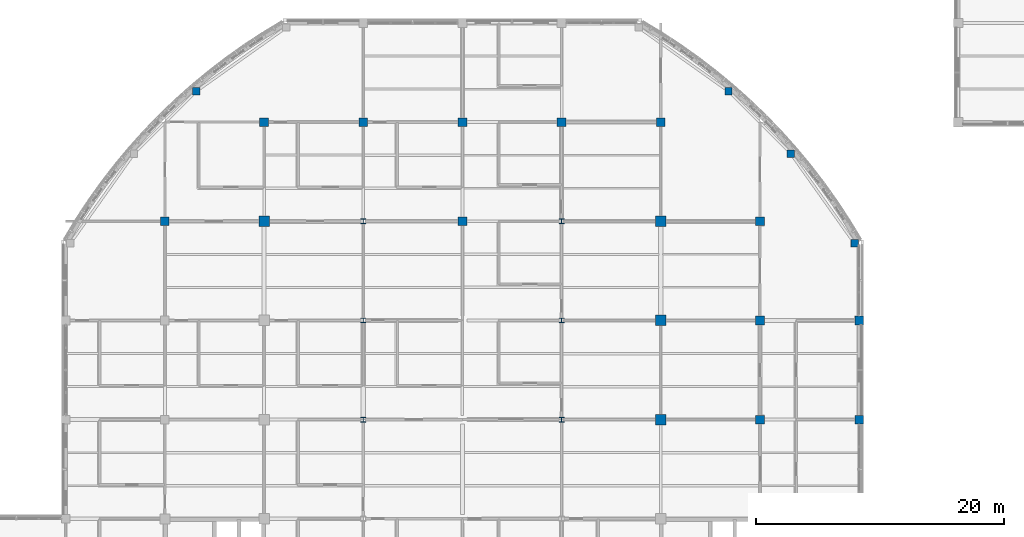
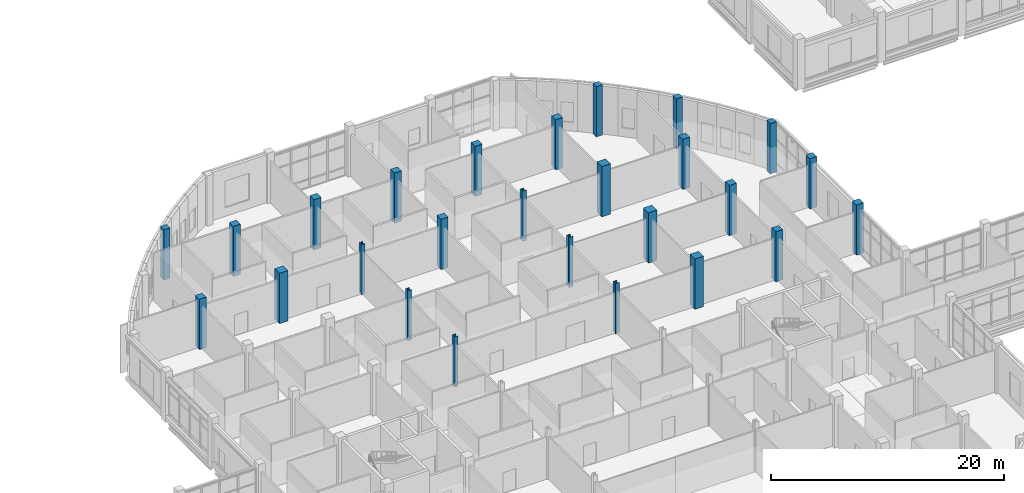
# One storey, part 6 of 105: 26 columns.
"""IFC4 building model written with IfcOpenShell, lengths in metres."""

from ifc_helpers import new_model, si_unit, derived_unit, direction, frame, origin, origin_2d, place, context, subcontext, project, spatial, rectangle, i_section, extrude, material, material_profile, profile_set, type_object, element, save


model = new_model("IFC4")

# Units and contexts
model_context = context("Model", 3, precision=1e-05, world=origin(), true_north=direction((0.0, 1.0)))
body_context = subcontext(model_context, "Body", "Model", "MODEL_VIEW")
ifc_project = project(units=[si_unit("LENGTHUNIT", "METRE"), si_unit("AREAUNIT", "SQUARE_METRE"), si_unit("VOLUMEUNIT", "CUBIC_METRE"), si_unit("PLANEANGLEUNIT", "RADIAN"), si_unit("MASSUNIT", "GRAM", prefix="KILO"), derived_unit("THERMALTRANSMITTANCEUNIT", [(si_unit("MASSUNIT", "GRAM", prefix="KILO"), 1), (si_unit("TIMEUNIT", "SECOND"), -3), (si_unit("THERMODYNAMICTEMPERATUREUNIT", "KELVIN"), -1)])], contexts=[model_context])

# Site, building, storey
site_placement = place(None, origin())
site = spatial("IfcSite", under=ifc_project, at=site_placement, CompositionType="ELEMENT")
building_placement = place(site_placement, origin())
building = spatial("IfcBuilding", under=site, at=building_placement, Name="Veyamyaing Civic Hall", CompositionType="ELEMENT")
storey_placement = place(building_placement, origin())
storey = spatial("IfcBuildingStorey", under=building, at=storey_placement, Name="L00", CompositionType="ELEMENT", Elevation=0.0)

# Columns
ifc_material_1 = material(Name="Concrete C45/55", Category="concrete")
ifc_material_profile_1 = material_profile(ifc_material_1, rectangle(XDim=0.85009765625, YDim=0.85009765625, at=origin_2d()), Name="RC-COL-850X850")
ifc_profile_set_1 = profile_set([ifc_material_profile_1], Name="Concrete C45/55")
column_type_1 = type_object("IfcColumnType", Name="C-01", PredefinedType="COLUMN", material=ifc_profile_set_1)
for number, where, z_axis, x_axis, name in (
    (1, (72.0, 80.0, 0.0), (0.0, 0.0, 1.0), (1.0, 0.0, 0.0), "Column C-01 10-L L00"),
    (2, (104.0, 64.0, 0.0), (0.0, 0.0, 1.0), (1.0, 0.0, 0.0), "Column C-01 14-J L00"),
    (3, (104.0, 72.0, 0.0), (0.0, 0.0, 1.0), (1.0, 0.0, 0.0), "Column C-01 14-K L00"),
    (4, (104.0, 80.0, 0.0), (0.0, 0.0, 1.0), (1.0, 0.0, 0.0), "Column C-01 14-L L00"),
):
    element("IfcColumn", number, at=place(storey_placement, frame(where, z_axis=z_axis, x_axis=x_axis)), inside=storey, type_object=column_type_1, Name=name, PredefinedType="COLUMN", context=body_context, shape_type="SweptSolid", body=[
        extrude(rectangle(XDim=0.85009765625, YDim=0.85009765625, at=origin_2d()), origin(), (0.0, 0.0, 1.0), 5.280029296875),
    ])
ifc_material_profile_2 = material_profile(ifc_material_1, rectangle(XDim=0.699951171875, YDim=0.699951171875, at=origin_2d()), Name="RC-COL-700X700")
ifc_profile_set_2 = profile_set([ifc_material_profile_2], Name="Concrete C45/55")
column_type_2 = type_object("IfcColumnType", Name="C-04", PredefinedType="COLUMN", material=ifc_profile_set_2)
for number, where, z_axis, x_axis, name in (
    (5, (64.0, 80.0, 0.0), (0.0, 0.0, 1.0), (1.0, 0.0, 0.0), "Column C-04 9-L L00"),
    (6, (72.0, 88.0, 0.0), (0.0, 0.0, 1.0), (1.0, 0.0, 0.0), "Column C-04 10-M L00"),
    (7, (80.0, 88.0, 0.0), (0.0, 0.0, 1.0), (1.0, 0.0, 0.0), "Column C-04 11-M L00"),
    (8, (88.0, 80.0, 0.0), (0.0, 0.0, 1.0), (1.0, 0.0, 0.0), "Column C-04 12-L L00"),
    (9, (88.0, 88.0, 0.0), (0.0, 0.0, 1.0), (1.0, 0.0, 0.0), "Column C-04 12-M L00"),
    (10, (96.0, 88.0, 0.0), (0.0, 0.0, 1.0), (1.0, 0.0, 0.0), "Column C-04 13-M L00"),
    (11, (104.0, 88.0, 0.0), (0.0, 0.0, 1.0), (1.0, 0.0, 0.0), "Column C-04 14-M L00"),
    (12, (112.0, 64.0, 0.0), (0.0, 0.0, 1.0), (1.0, 0.0, 0.0), "Column C-04 15-J L00"),
    (13, (112.0, 72.0, 0.0), (0.0, 0.0, 1.0), (1.0, 0.0, 0.0), "Column C-04 15-K L00"),
    (14, (112.0, 80.0, 0.0), (0.0, 0.0, 1.0), (1.0, 0.0, 0.0), "Column C-04 15-L L00"),
    (15, (120.0, 64.0, 0.0), (0.0, 0.0, 1.0), (1.0, 0.0, 0.0), "Column C-04 16-J L00"),
    (16, (120.0, 72.0, 0.0), (0.0, 0.0, 1.0), (1.0, 0.0, 0.0), "Column C-04 16-K L00"),
):
    element("IfcColumn", number, at=place(storey_placement, frame(where, z_axis=z_axis, x_axis=x_axis)), inside=storey, type_object=column_type_2, Name=name, PredefinedType="COLUMN", context=body_context, shape_type="SweptSolid", body=[
        extrude(rectangle(XDim=0.699951171875, YDim=0.699951171875, at=origin_2d()), origin(), (0.0, 0.0, 1.0), 5.280029296875),
    ])
ifc_material_profile_3 = material_profile(ifc_material_1, rectangle(XDim=0.60009765625, YDim=0.60009765625, at=origin_2d()), Name="RC-COL-600X600")
ifc_profile_set_3 = profile_set([ifc_material_profile_3], Name="Concrete C45/55")
column_type_3 = type_object("IfcColumnType", Name="C-06", PredefinedType="COLUMN", material=ifc_profile_set_3)
for number, where, z_axis, x_axis, name in (
    (17, (119.63623046875, 78.220703125, 0.0), (0.0, 0.0, 1.0), (1.0, 0.0, 0.0), "Curved corner column C-06 ARC-NE-00 L00"),
    (18, (114.4951171875, 85.466552734375, 0.0), (0.0, 0.0, 1.0), (1.0, 0.0, 0.0), "Curved corner column C-06 ARC-NE-05 L00"),
    (19, (109.466552734375, 90.4951171875, 0.0), (0.0, 0.0, 1.0), (1.0, 0.0, 0.0), "Curved corner column C-06 ARC-NE-09 L00"),
    (20, (66.533447265625, 90.4951171875, 0.0), (0.0, 0.0, 1.0), (1.0, 0.0, 0.0), "Curved corner column C-06 ARC-NW-05 L00"),
):
    element("IfcColumn", number, at=place(storey_placement, frame(where, z_axis=z_axis, x_axis=x_axis)), inside=storey, type_object=column_type_3, Name=name, PredefinedType="COLUMN", context=body_context, shape_type="SweptSolid", body=[
        extrude(rectangle(XDim=0.60009765625, YDim=0.60009765625, at=origin_2d()), origin(), (0.0, 0.0, 1.0), 5.280029296875),
    ])
ifc_material_2 = material(Name="Steel S355J2", Category="steel")
ifc_material_profile_4 = material_profile(ifc_material_2, i_section(OverallWidth=0.39794921875, OverallDepth=0.386962890625, WebThickness=0.02099609375, FlangeThickness=0.033203125, FilletRadius=0.014892578125, at=origin_2d()), Name="W360X262")
ifc_profile_set_4 = profile_set([ifc_material_profile_4], Name="Steel S355J2")
column_type_4 = type_object("IfcColumnType", Name="C-08", PredefinedType="COLUMN", material=ifc_profile_set_4)
for number, where, z_axis, x_axis, name in (
    (21, (80.0, 64.0, 0.0), (0.0, 0.0, 1.0), (1.0, 0.0, 0.0), "Column C-08 11-J L00"),
    (22, (80.0, 72.0, 0.0), (0.0, 0.0, 1.0), (1.0, 0.0, 0.0), "Column C-08 11-K L00"),
    (23, (80.0, 80.0, 0.0), (0.0, 0.0, 1.0), (1.0, 0.0, 0.0), "Column C-08 11-L L00"),
    (24, (96.0, 64.0, 0.0), (0.0, 0.0, 1.0), (1.0, 0.0, 0.0), "Column C-08 13-J L00"),
    (25, (96.0, 72.0, 0.0), (0.0, 0.0, 1.0), (1.0, 0.0, 0.0), "Column C-08 13-K L00"),
    (26, (96.0, 80.0, 0.0), (0.0, 0.0, 1.0), (1.0, 0.0, 0.0), "Column C-08 13-L L00"),
):
    element("IfcColumn", number, at=place(storey_placement, frame(where, z_axis=z_axis, x_axis=x_axis)), inside=storey, type_object=column_type_4, Name=name, PredefinedType="COLUMN", context=body_context, shape_type="SweptSolid", body=[
        extrude(i_section(OverallWidth=0.39794921875, OverallDepth=0.386962890625, WebThickness=0.02099609375, FlangeThickness=0.033203125, FilletRadius=0.014892578125, at=origin_2d()), origin(), (0.0, 0.0, 1.0), 5.280029296875),
    ])

save(model, "model.ifc")
